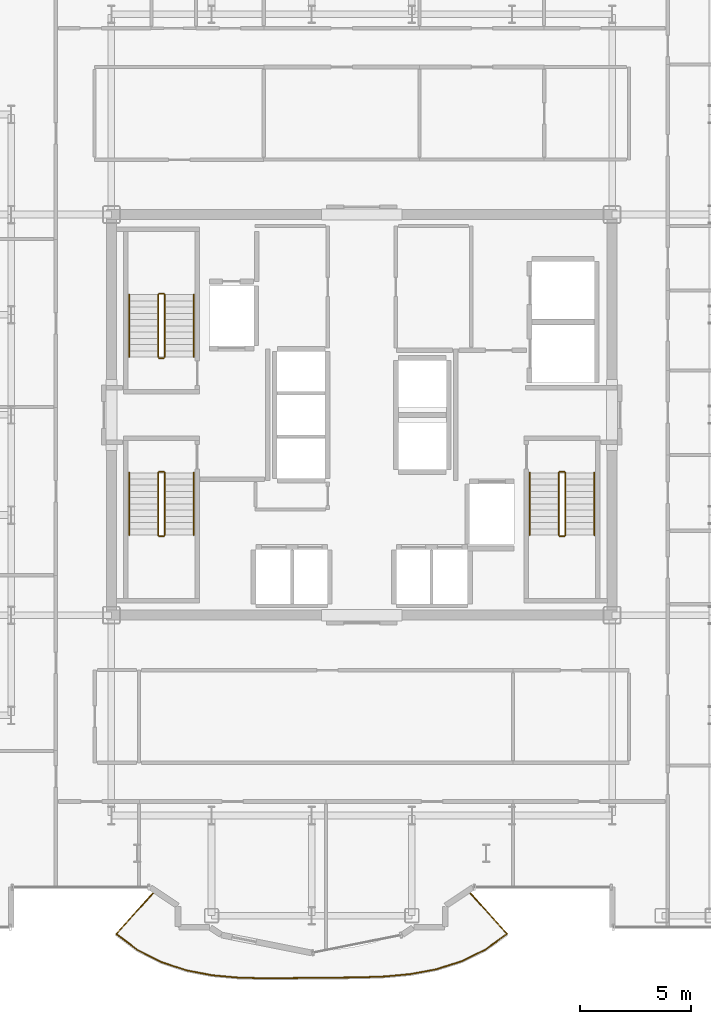
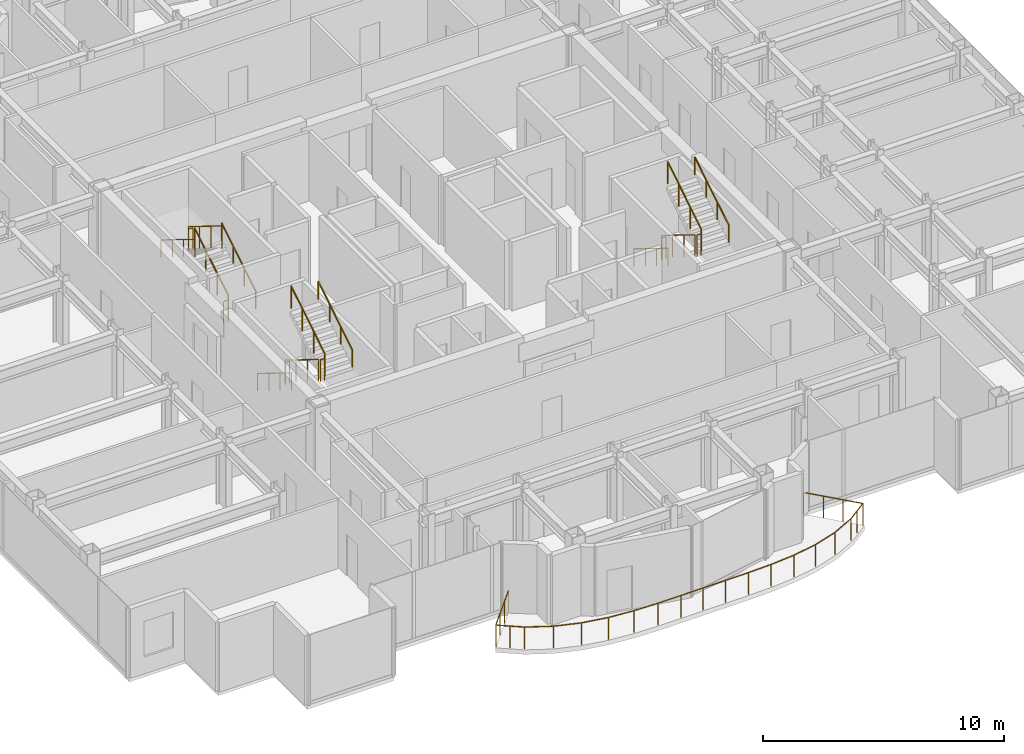
# One storey, part 20 of 21: 19 railings.
"""IFC4 building model written with IfcOpenShell, lengths in metres."""

from ifc_helpers import new_model, si_unit, direction, frame, origin, origin_2d, place, context, subcontext, project, spatial, circle, extrude, material, type_object, element, save


model = new_model("IFC4")

# Units and contexts
model_context = context("Model", 3, precision=1e-05, world=origin(), true_north=direction((0.0, 1.0)))
body_context = subcontext(model_context, "Body", "Model", "MODEL_VIEW")
ifc_project = project(units=[si_unit("LENGTHUNIT", "METRE"), si_unit("AREAUNIT", "SQUARE_METRE"), si_unit("VOLUMEUNIT", "CUBIC_METRE"), si_unit("PLANEANGLEUNIT", "RADIAN"), si_unit("MASSUNIT", "GRAM", prefix="KILO")], contexts=[model_context])

# Site, building, storey
site_placement = place(None, origin())
site = spatial("IfcSite", under=ifc_project, at=site_placement, CompositionType="ELEMENT")
building_placement = place(site_placement, origin())
building = spatial("IfcBuilding", under=site, at=building_placement, Name="Nefas-Gora Pilgrimage Tower", CompositionType="ELEMENT")
storey_placement = place(building_placement, frame((0.0, 0.0, 256.0)))
storey = spatial("IfcBuildingStorey", under=building, at=storey_placement, Name="L64", CompositionType="ELEMENT", Elevation=256.0)

# Railings
ifc_material_1 = material(Name="Laminated safety glass and stainless steel", Category="steel")
railing_type_1 = type_object("IfcRailingType", Name="RLG-BAL-1100", PredefinedType="BALUSTRADE", material=ifc_material_1)
railing_1_placement = place(storey_placement, frame((-9.302490234375, -21.402587890625, 0.0)))
element("IfcRailing", 1, at=railing_1_placement, inside=storey, type_object=railing_type_1, Name="L64 Wave Balcony Balustrade S2", PredefinedType="BALUSTRADE", context=body_context, shape_type="SweptSolid", body=[
    extrude(circle(Radius=0.02392578125, at=origin_2d()), frame((0.0, 0.0, 1.09619140625), z_axis=(-0.669142449017, -0.743134162129, 0.0), x_axis=(0.743134162129, -0.669142449017, 0.0)), (0.0, 0.0, 1.0), 2.580322265625),
    extrude(circle(Radius=0.02392578125, at=origin_2d()), frame((-1.7265625, -1.91748046875, 1.09619140625), z_axis=(0.799609380454, -0.600520473164, 0.0), x_axis=(0.600520473164, 0.799609380454, 0.0)), (0.0, 0.0, 1.0), 1.200439453125),
    extrude(circle(Radius=0.02392578125, at=origin_2d()), frame((-0.7666015625, -2.638427734375, 1.09619140625), z_axis=(0.890733279512, -0.45452637412, 0.0), x_axis=(0.45452637412, 0.890733279512, 0.0)), (0.0, 0.0, 1.0), 1.199462890625),
    extrude(circle(Radius=0.02392578125, at=origin_2d()), frame((0.3017578125, -3.18359375, 1.09619140625), z_axis=(0.950145160324, -0.311807912523, 0.0), x_axis=(0.311807912523, 0.950145160324, 0.0)), (0.0, 0.0, 1.0), 1.194091796875),
    extrude(circle(Radius=0.02392578125, at=origin_2d()), frame((1.436279296875, -3.555908203125, 1.09619140625), z_axis=(0.982457799544, -0.186485045284, 0.0), x_axis=(0.186485045284, 0.982457799544, 0.0)), (0.0, 0.0, 1.0), 1.180908203125),
    extrude(circle(Radius=0.02392578125, at=origin_2d()), frame((2.596435546875, -3.776123046875, 1.09619140625), z_axis=(0.996011638398, -0.089223405981, 0.0), x_axis=(0.089223405981, 0.996011638398, 0.0)), (0.0, 0.0, 1.0), 1.157470703125),
    extrude(circle(Radius=0.02392578125, at=origin_2d()), frame((3.749267578125, -3.87939453125, 1.09619140625), z_axis=(0.99967356135, -0.025549378436, 0.0), x_axis=(0.025549378436, 0.99967356135, 0.0)), (0.0, 0.0, 1.0), 1.127685546875),
    extrude(circle(Radius=0.02392578125, at=origin_2d()), frame((4.87646484375, -3.908203125, 1.09619140625), z_axis=(0.999980616702, 0.00622625245, 0.0), x_axis=(-0.00622625245, 0.999980616702, 0.0)), (0.0, 0.0, 1.0), 1.097900390625),
    extrude(circle(Radius=0.02392578125, at=origin_2d()), frame((5.974365234375, -3.9013671875, 1.09619140625), z_axis=(0.99992244912, 0.012453744271, 0.0), x_axis=(-0.012453744271, 0.99992244912, 0.0)), (0.0, 0.0, 1.0), 1.078125),
    extrude(circle(Radius=0.02392578125, at=origin_2d()), frame((7.052490234375, -3.887939453125, 1.09619140625), z_axis=(0.999968478826, 0.007939858611, 0.0), x_axis=(-0.007939858611, 0.999968478826, 0.0)), (0.0, 0.0, 1.0), 1.076171875),
    extrude(circle(Radius=0.02392578125, at=origin_2d()), frame((8.128662109375, -3.87939453125, 1.09619140625), z_axis=(0.999947171878, 0.010278786571, 0.0), x_axis=(-0.010278786571, 0.999947171878, 0.0)), (0.0, 0.0, 1.0), 1.092529296875),
    extrude(circle(Radius=0.02392578125, at=origin_2d()), frame((9.22119140625, -3.8681640625, 1.09619140625), z_axis=(0.99936174395, 0.03572260811, 0.0), x_axis=(-0.03572260811, 0.99936174395, 0.0)), (0.0, 0.0, 1.0), 1.120849609375),
    extrude(circle(Radius=0.02392578125, at=origin_2d()), frame((10.34130859375, -3.828125, 1.09619140625), z_axis=(0.995737068409, 0.092237143262, 0.0), x_axis=(-0.092237143262, 0.995737068409, 0.0)), (0.0, 0.0, 1.0), 1.1513671875),
    extrude(circle(Radius=0.02392578125, at=origin_2d()), frame((11.48779296875, -3.721923828125, 1.09619140625), z_axis=(0.983222780011, 0.182408785063, 0.0), x_axis=(-0.182408785063, 0.983222780011, 0.0)), (0.0, 0.0, 1.0), 1.176513671875),
    extrude(circle(Radius=0.02392578125, at=origin_2d()), frame((12.64453125, -3.50732421875, 1.09619140625), z_axis=(0.953347137132, 0.301876193369, 0.0), x_axis=(-0.301876193369, 0.953347137132, 0.0)), (0.0, 0.0, 1.0), 1.192138671875),
    extrude(circle(Radius=0.02392578125, at=origin_2d()), frame((13.781005859375, -3.1474609375, 1.09619140625), z_axis=(0.8975416003, 0.440929785489, 0.0), x_axis=(-0.440929785489, 0.8975416003, 0.0)), (0.0, 0.0, 1.0), 1.19873046875),
    extrude(circle(Radius=0.02392578125, at=origin_2d()), frame((14.85693359375, -2.618896484375, 1.09619140625), z_axis=(0.81049147795, 0.58575042823, 0.0), x_axis=(-0.58575042823, 0.81049147795, 0.0)), (0.0, 0.0, 1.0), 1.200439453125),
    extrude(circle(Radius=0.02392578125, at=origin_2d()), frame((15.829833984375, -1.915771484375, 1.09619140625), z_axis=(-0.669105995394, 0.743166984552, 0.0), x_axis=(-0.743166984552, -0.669105995394, 0.0)), (0.0, 0.0, 1.0), 2.577880859375),
    extrude(circle(Radius=0.02099609375, at=origin_2d()), origin(), (0.0, 0.0, 1.0), 1.072021484375),
    extrude(circle(Radius=0.02099609375, at=origin_2d()), frame((-0.575439453125, -0.63916015625, 0.0)), (0.0, 0.0, 1.0), 1.072021484375),
    extrude(circle(Radius=0.02099609375, at=origin_2d()), frame((-1.151123046875, -1.2783203125, 0.0)), (0.0, 0.0, 1.0), 1.072021484375),
    extrude(circle(Radius=0.02099609375, at=origin_2d()), frame((-1.7265625, -1.91748046875, 0.0)), (0.0, 0.0, 1.0), 1.072021484375),
    extrude(circle(Radius=0.02099609375, at=origin_2d()), frame((-1.24658203125, -2.27783203125, 0.0)), (0.0, 0.0, 1.0), 1.072021484375),
    extrude(circle(Radius=0.02099609375, at=origin_2d()), frame((-0.7666015625, -2.638427734375, 0.0)), (0.0, 0.0, 1.0), 1.072021484375),
    extrude(circle(Radius=0.02099609375, at=origin_2d()), frame((0.3017578125, -3.18359375, 0.0)), (0.0, 0.0, 1.0), 1.072021484375),
    extrude(circle(Radius=0.02099609375, at=origin_2d()), frame((1.436279296875, -3.555908203125, 0.0)), (0.0, 0.0, 1.0), 1.072021484375),
    extrude(circle(Radius=0.02099609375, at=origin_2d()), frame((2.596435546875, -3.776123046875, 0.0)), (0.0, 0.0, 1.0), 1.072021484375),
    extrude(circle(Radius=0.02099609375, at=origin_2d()), frame((3.749267578125, -3.87939453125, 0.0)), (0.0, 0.0, 1.0), 1.072021484375),
    extrude(circle(Radius=0.02099609375, at=origin_2d()), frame((4.87646484375, -3.908203125, 0.0)), (0.0, 0.0, 1.0), 1.072021484375),
    extrude(circle(Radius=0.02099609375, at=origin_2d()), frame((5.974365234375, -3.9013671875, 0.0)), (0.0, 0.0, 1.0), 1.072021484375),
    extrude(circle(Radius=0.02099609375, at=origin_2d()), frame((7.052490234375, -3.887939453125, 0.0)), (0.0, 0.0, 1.0), 1.072021484375),
    extrude(circle(Radius=0.02099609375, at=origin_2d()), frame((8.128662109375, -3.87939453125, 0.0)), (0.0, 0.0, 1.0), 1.072021484375),
    extrude(circle(Radius=0.02099609375, at=origin_2d()), frame((9.22119140625, -3.8681640625, 0.0)), (0.0, 0.0, 1.0), 1.072021484375),
    extrude(circle(Radius=0.02099609375, at=origin_2d()), frame((10.34130859375, -3.828125, 0.0)), (0.0, 0.0, 1.0), 1.072021484375),
    extrude(circle(Radius=0.02099609375, at=origin_2d()), frame((11.48779296875, -3.721923828125, 0.0)), (0.0, 0.0, 1.0), 1.072021484375),
    extrude(circle(Radius=0.02099609375, at=origin_2d()), frame((12.64453125, -3.50732421875, 0.0)), (0.0, 0.0, 1.0), 1.072021484375),
    extrude(circle(Radius=0.02099609375, at=origin_2d()), frame((13.781005859375, -3.1474609375, 0.0)), (0.0, 0.0, 1.0), 1.072021484375),
    extrude(circle(Radius=0.02099609375, at=origin_2d()), frame((14.85693359375, -2.618896484375, 0.0)), (0.0, 0.0, 1.0), 1.072021484375),
    extrude(circle(Radius=0.02099609375, at=origin_2d()), frame((15.34326171875, -2.267333984375, 0.0)), (0.0, 0.0, 1.0), 1.072021484375),
    extrude(circle(Radius=0.02099609375, at=origin_2d()), frame((15.829833984375, -1.915771484375, 0.0)), (0.0, 0.0, 1.0), 1.072021484375),
    extrude(circle(Radius=0.02099609375, at=origin_2d()), frame((15.2548828125, -1.277099609375, 0.0)), (0.0, 0.0, 1.0), 1.072021484375),
    extrude(circle(Radius=0.02099609375, at=origin_2d()), frame((14.679931640625, -0.638671875, 0.0)), (0.0, 0.0, 1.0), 1.072021484375),
    extrude(circle(Radius=0.02099609375, at=origin_2d()), frame((14.10498046875, 0.0, 0.0)), (0.0, 0.0, 1.0), 1.072021484375),
])
ifc_material_2 = material(Name="Painted galvanised steel", Category="steel")
railing_type_2 = type_object("IfcRailingType", Name="RLG-STR-GUARD-1100", PredefinedType="GUARDRAIL", material=ifc_material_2)
railing_2_placement = place(storey_placement, frame((-8.85009765625, 2.60009765625, 0.172607421875)))
element("IfcRailing", 2, at=railing_2_placement, inside=storey, type_object=railing_type_2, Name="L64 ST-01 stair guard 1", PredefinedType="GUARDRAIL", context=body_context, shape_type="SweptSolid", body=[
    extrude(circle(Radius=0.02392578125, at=origin_2d()), frame((0.0, 0.0, 1.09619140625), z_axis=(0.0, 0.851069175582, 0.525053576669), x_axis=(-1.0, 0.0, 0.0)), (0.0, 0.0, 1.0), 3.289794921875),
    extrude(circle(Radius=0.02099609375, at=origin_2d()), origin(), (0.0, 0.0, 1.0), 1.072021484375),
    extrude(circle(Radius=0.02099609375, at=origin_2d()), frame((0.0, 0.933349609375, 0.57568359375)), (0.0, 0.0, 1.0), 1.072021484375),
    extrude(circle(Radius=0.02099609375, at=origin_2d()), frame((0.0, 1.866455078125, 1.151611328125)), (0.0, 0.0, 1.0), 1.072021484375),
    extrude(circle(Radius=0.02099609375, at=origin_2d()), frame((0.0, 2.7998046875, 1.727294921875)), (0.0, 0.0, 1.0), 1.072021484375),
])
railing_3_placement = place(storey_placement, frame((-8.89990234375, 5.449951171875, 1.89990234375)))
element("IfcRailing", 3, at=railing_3_placement, inside=storey, type_object=railing_type_2, Name="L64 ST-01 stair guard 2", PredefinedType="GUARDRAIL", context=body_context, shape_type="SweptSolid", body=[
    extrude(circle(Radius=0.02392578125, at=origin_2d()), frame((0.0, 0.0, 1.09619140625), z_axis=(-1.0, 0.0, 0.0), x_axis=(0.0, -1.0, 0.0)), (0.0, 0.0, 1.0), 0.2001953125),
    extrude(circle(Radius=0.02099609375, at=origin_2d()), origin(), (0.0, 0.0, 1.0), 1.072021484375),
    extrude(circle(Radius=0.02099609375, at=origin_2d()), frame((-0.2001953125, 0.0, 0.0)), (0.0, 0.0, 1.0), 1.072021484375),
])
railing_4_placement = place(storey_placement, frame((-9.14990234375, 5.39990234375, 2.07275390625)))
element("IfcRailing", 4, at=railing_4_placement, inside=storey, type_object=railing_type_2, Name="L64 ST-01 stair guard 3", PredefinedType="GUARDRAIL", context=body_context, shape_type="SweptSolid", body=[
    extrude(circle(Radius=0.02392578125, at=origin_2d()), frame((0.0, 0.0, 1.09619140625), z_axis=(0.0, -0.851069175582, 0.525053576669), x_axis=(1.0, 0.0, 0.0)), (0.0, 0.0, 1.0), 3.289794921875),
    extrude(circle(Radius=0.02099609375, at=origin_2d()), origin(), (0.0, 0.0, 1.0), 1.072021484375),
    extrude(circle(Radius=0.02099609375, at=origin_2d()), frame((0.0, -0.933349609375, 0.57568359375)), (0.0, 0.0, 1.0), 1.072021484375),
    extrude(circle(Radius=0.02099609375, at=origin_2d()), frame((0.0, -1.866455078125, 1.151611328125)), (0.0, 0.0, 1.0), 1.072021484375),
    extrude(circle(Radius=0.02099609375, at=origin_2d()), frame((0.0, -2.7998046875, 1.727294921875)), (0.0, 0.0, 1.0), 1.072021484375),
])
railing_5_placement = place(storey_placement, frame((-8.89990234375, 2.550048828125, 0.0)))
element("IfcRailing", 5, at=railing_5_placement, inside=storey, type_object=railing_type_2, Name="L64 ST-01 stair guard 4", PredefinedType="GUARDRAIL", context=body_context, shape_type="SweptSolid", body=[
    extrude(circle(Radius=0.02392578125, at=origin_2d()), frame((0.0, 0.0, 1.09619140625), z_axis=(-1.0, 0.0, 0.0), x_axis=(0.0, -1.0, 0.0)), (0.0, 0.0, 1.0), 0.2001953125),
    extrude(circle(Radius=0.02099609375, at=origin_2d()), origin(), (0.0, 0.0, 1.0), 1.072021484375),
    extrude(circle(Radius=0.02099609375, at=origin_2d()), frame((-0.2001953125, 0.0, 0.0)), (0.0, 0.0, 1.0), 1.072021484375),
])
railing_6_placement = place(storey_placement, frame((8.85009765625, -2.60009765625, 0.172607421875)))
element("IfcRailing", 6, at=railing_6_placement, inside=storey, type_object=railing_type_2, Name="L64 ST-02 stair guard 1", PredefinedType="GUARDRAIL", context=body_context, shape_type="SweptSolid", body=[
    extrude(circle(Radius=0.02392578125, at=origin_2d()), frame((0.0, 0.0, 1.09619140625), z_axis=(0.0, -0.851069175582, 0.525053576669), x_axis=(1.0, 0.0, 0.0)), (0.0, 0.0, 1.0), 3.289794921875),
    extrude(circle(Radius=0.02099609375, at=origin_2d()), origin(), (0.0, 0.0, 1.0), 1.072021484375),
    extrude(circle(Radius=0.02099609375, at=origin_2d()), frame((0.0, -0.933349609375, 0.57568359375)), (0.0, 0.0, 1.0), 1.072021484375),
    extrude(circle(Radius=0.02099609375, at=origin_2d()), frame((0.0, -1.866455078125, 1.151611328125)), (0.0, 0.0, 1.0), 1.072021484375),
    extrude(circle(Radius=0.02099609375, at=origin_2d()), frame((0.0, -2.7998046875, 1.727294921875)), (0.0, 0.0, 1.0), 1.072021484375),
])
railing_7_placement = place(storey_placement, frame((8.89990234375, -5.449951171875, 1.89990234375)))
element("IfcRailing", 7, at=railing_7_placement, inside=storey, type_object=railing_type_2, Name="L64 ST-02 stair guard 2", PredefinedType="GUARDRAIL", context=body_context, shape_type="SweptSolid", body=[
    extrude(circle(Radius=0.02392578125, at=origin_2d()), frame((0.0, 0.0, 1.09619140625), z_axis=(1.0, 0.0, 0.0), x_axis=(0.0, 1.0, 0.0)), (0.0, 0.0, 1.0), 0.2001953125),
    extrude(circle(Radius=0.02099609375, at=origin_2d()), origin(), (0.0, 0.0, 1.0), 1.072021484375),
    extrude(circle(Radius=0.02099609375, at=origin_2d()), frame((0.2001953125, 0.0, 0.0)), (0.0, 0.0, 1.0), 1.072021484375),
])
railing_8_placement = place(storey_placement, frame((9.14990234375, -5.39990234375, 2.07275390625)))
element("IfcRailing", 8, at=railing_8_placement, inside=storey, type_object=railing_type_2, Name="L64 ST-02 stair guard 3", PredefinedType="GUARDRAIL", context=body_context, shape_type="SweptSolid", body=[
    extrude(circle(Radius=0.02392578125, at=origin_2d()), frame((0.0, 0.0, 1.09619140625), z_axis=(0.0, 0.851069175582, 0.525053576669), x_axis=(-1.0, 0.0, 0.0)), (0.0, 0.0, 1.0), 3.289794921875),
    extrude(circle(Radius=0.02099609375, at=origin_2d()), origin(), (0.0, 0.0, 1.0), 1.072021484375),
    extrude(circle(Radius=0.02099609375, at=origin_2d()), frame((0.0, 0.933349609375, 0.57568359375)), (0.0, 0.0, 1.0), 1.072021484375),
    extrude(circle(Radius=0.02099609375, at=origin_2d()), frame((0.0, 1.866455078125, 1.151611328125)), (0.0, 0.0, 1.0), 1.072021484375),
    extrude(circle(Radius=0.02099609375, at=origin_2d()), frame((0.0, 2.7998046875, 1.727294921875)), (0.0, 0.0, 1.0), 1.072021484375),
])
railing_9_placement = place(storey_placement, frame((8.89990234375, -2.550048828125, 0.0)))
element("IfcRailing", 9, at=railing_9_placement, inside=storey, type_object=railing_type_2, Name="L64 ST-02 stair guard 4", PredefinedType="GUARDRAIL", context=body_context, shape_type="SweptSolid", body=[
    extrude(circle(Radius=0.02392578125, at=origin_2d()), frame((0.0, 0.0, 1.09619140625), z_axis=(1.0, 0.0, 0.0), x_axis=(0.0, 1.0, 0.0)), (0.0, 0.0, 1.0), 0.2001953125),
    extrude(circle(Radius=0.02099609375, at=origin_2d()), origin(), (0.0, 0.0, 1.0), 1.072021484375),
    extrude(circle(Radius=0.02099609375, at=origin_2d()), frame((0.2001953125, 0.0, 0.0)), (0.0, 0.0, 1.0), 1.072021484375),
])
railing_10_placement = place(storey_placement, frame((-9.14990234375, -2.60009765625, 0.172607421875)))
element("IfcRailing", 10, at=railing_10_placement, inside=storey, type_object=railing_type_2, Name="L64 ST-03 stair guard 1", PredefinedType="GUARDRAIL", context=body_context, shape_type="SweptSolid", body=[
    extrude(circle(Radius=0.02392578125, at=origin_2d()), frame((0.0, 0.0, 1.09619140625), z_axis=(0.0, -0.851069175582, 0.525053576669), x_axis=(1.0, 0.0, 0.0)), (0.0, 0.0, 1.0), 3.289794921875),
    extrude(circle(Radius=0.02099609375, at=origin_2d()), origin(), (0.0, 0.0, 1.0), 1.072021484375),
    extrude(circle(Radius=0.02099609375, at=origin_2d()), frame((0.0, -0.933349609375, 0.57568359375)), (0.0, 0.0, 1.0), 1.072021484375),
    extrude(circle(Radius=0.02099609375, at=origin_2d()), frame((0.0, -1.866455078125, 1.151611328125)), (0.0, 0.0, 1.0), 1.072021484375),
    extrude(circle(Radius=0.02099609375, at=origin_2d()), frame((0.0, -2.7998046875, 1.727294921875)), (0.0, 0.0, 1.0), 1.072021484375),
])
railing_11_placement = place(storey_placement, frame((-9.10009765625, -5.449951171875, 1.89990234375)))
element("IfcRailing", 11, at=railing_11_placement, inside=storey, type_object=railing_type_2, Name="L64 ST-03 stair guard 2", PredefinedType="GUARDRAIL", context=body_context, shape_type="SweptSolid", body=[
    extrude(circle(Radius=0.02392578125, at=origin_2d()), frame((0.0, 0.0, 1.09619140625), z_axis=(1.0, 0.0, 0.0), x_axis=(0.0, 1.0, 0.0)), (0.0, 0.0, 1.0), 0.2001953125),
    extrude(circle(Radius=0.02099609375, at=origin_2d()), origin(), (0.0, 0.0, 1.0), 1.072021484375),
    extrude(circle(Radius=0.02099609375, at=origin_2d()), frame((0.2001953125, 0.0, 0.0)), (0.0, 0.0, 1.0), 1.072021484375),
])
railing_12_placement = place(storey_placement, frame((-8.85009765625, -5.39990234375, 2.07275390625)))
element("IfcRailing", 12, at=railing_12_placement, inside=storey, type_object=railing_type_2, Name="L64 ST-03 stair guard 3", PredefinedType="GUARDRAIL", context=body_context, shape_type="SweptSolid", body=[
    extrude(circle(Radius=0.02392578125, at=origin_2d()), frame((0.0, 0.0, 1.09619140625), z_axis=(0.0, 0.851069175582, 0.525053576669), x_axis=(-1.0, 0.0, 0.0)), (0.0, 0.0, 1.0), 3.289794921875),
    extrude(circle(Radius=0.02099609375, at=origin_2d()), origin(), (0.0, 0.0, 1.0), 1.072021484375),
    extrude(circle(Radius=0.02099609375, at=origin_2d()), frame((0.0, 0.933349609375, 0.57568359375)), (0.0, 0.0, 1.0), 1.072021484375),
    extrude(circle(Radius=0.02099609375, at=origin_2d()), frame((0.0, 1.866455078125, 1.151611328125)), (0.0, 0.0, 1.0), 1.072021484375),
    extrude(circle(Radius=0.02099609375, at=origin_2d()), frame((0.0, 2.7998046875, 1.727294921875)), (0.0, 0.0, 1.0), 1.072021484375),
])
railing_13_placement = place(storey_placement, frame((-9.10009765625, -2.550048828125, 0.0)))
element("IfcRailing", 13, at=railing_13_placement, inside=storey, type_object=railing_type_2, Name="L64 ST-03 stair guard 4", PredefinedType="GUARDRAIL", context=body_context, shape_type="SweptSolid", body=[
    extrude(circle(Radius=0.02392578125, at=origin_2d()), frame((0.0, 0.0, 1.09619140625), z_axis=(1.0, 0.0, 0.0), x_axis=(0.0, 1.0, 0.0)), (0.0, 0.0, 1.0), 0.2001953125),
    extrude(circle(Radius=0.02099609375, at=origin_2d()), origin(), (0.0, 0.0, 1.0), 1.072021484375),
    extrude(circle(Radius=0.02099609375, at=origin_2d()), frame((0.2001953125, 0.0, 0.0)), (0.0, 0.0, 1.0), 1.072021484375),
])
ifc_material_3 = material(Name="Brushed stainless steel", Category="steel")
railing_type_3 = type_object("IfcRailingType", Name="RLG-STR-HAND-900", PredefinedType="HANDRAIL", material=ifc_material_3)
railing_14_placement = place(storey_placement, frame((-7.550048828125, 2.60009765625, 0.172607421875)))
element("IfcRailing", 14, at=railing_14_placement, inside=storey, type_object=railing_type_3, Name="L64 ST-01 stair handrail 1", PredefinedType="HANDRAIL", context=body_context, shape_type="SweptSolid", body=[
    extrude(circle(Radius=0.02392578125, at=origin_2d()), frame((0.0, 0.0, 0.8759765625), z_axis=(0.0, 0.851069175582, 0.525053576669), x_axis=(-1.0, 0.0, 0.0)), (0.0, 0.0, 1.0), 3.289794921875),
    extrude(circle(Radius=0.02099609375, at=origin_2d()), origin(), (0.0, 0.0, 1.0), 0.851806640625),
    extrude(circle(Radius=0.02099609375, at=origin_2d()), frame((0.0, 0.933349609375, 0.57568359375)), (0.0, 0.0, 1.0), 0.851806640625),
    extrude(circle(Radius=0.02099609375, at=origin_2d()), frame((0.0, 1.866455078125, 1.151611328125)), (0.0, 0.0, 1.0), 0.851806640625),
    extrude(circle(Radius=0.02099609375, at=origin_2d()), frame((0.0, 2.7998046875, 1.727294921875)), (0.0, 0.0, 1.0), 0.851806640625),
])
for number, where, name in (
    (15, (-10.449951171875, 5.39990234375, 2.07275390625), "L64 ST-01 stair handrail 2"),
    (16, (7.550048828125, -2.60009765625, 0.172607421875), "L64 ST-02 stair handrail 1"),
):
    element("IfcRailing", number, at=place(storey_placement, frame(where)), inside=storey, type_object=railing_type_3, Name=name, PredefinedType="HANDRAIL", context=body_context, shape_type="SweptSolid", body=[
        extrude(circle(Radius=0.02392578125, at=origin_2d()), frame((0.0, 0.0, 0.8759765625), z_axis=(0.0, -0.851069175582, 0.525053576669), x_axis=(1.0, 0.0, 0.0)), (0.0, 0.0, 1.0), 3.289794921875),
        extrude(circle(Radius=0.02099609375, at=origin_2d()), origin(), (0.0, 0.0, 1.0), 0.851806640625),
        extrude(circle(Radius=0.02099609375, at=origin_2d()), frame((0.0, -0.933349609375, 0.57568359375)), (0.0, 0.0, 1.0), 0.851806640625),
        extrude(circle(Radius=0.02099609375, at=origin_2d()), frame((0.0, -1.866455078125, 1.151611328125)), (0.0, 0.0, 1.0), 0.851806640625),
        extrude(circle(Radius=0.02099609375, at=origin_2d()), frame((0.0, -2.7998046875, 1.727294921875)), (0.0, 0.0, 1.0), 0.851806640625),
    ])
railing_15_placement = place(storey_placement, frame((10.449951171875, -5.39990234375, 2.07275390625)))
element("IfcRailing", 17, at=railing_15_placement, inside=storey, type_object=railing_type_3, Name="L64 ST-02 stair handrail 2", PredefinedType="HANDRAIL", context=body_context, shape_type="SweptSolid", body=[
    extrude(circle(Radius=0.02392578125, at=origin_2d()), frame((0.0, 0.0, 0.8759765625), z_axis=(0.0, 0.851069175582, 0.525053576669), x_axis=(-1.0, 0.0, 0.0)), (0.0, 0.0, 1.0), 3.289794921875),
    extrude(circle(Radius=0.02099609375, at=origin_2d()), origin(), (0.0, 0.0, 1.0), 0.851806640625),
    extrude(circle(Radius=0.02099609375, at=origin_2d()), frame((0.0, 0.933349609375, 0.57568359375)), (0.0, 0.0, 1.0), 0.851806640625),
    extrude(circle(Radius=0.02099609375, at=origin_2d()), frame((0.0, 1.866455078125, 1.151611328125)), (0.0, 0.0, 1.0), 0.851806640625),
    extrude(circle(Radius=0.02099609375, at=origin_2d()), frame((0.0, 2.7998046875, 1.727294921875)), (0.0, 0.0, 1.0), 0.851806640625),
])
railing_16_placement = place(storey_placement, frame((-10.449951171875, -2.60009765625, 0.172607421875)))
element("IfcRailing", 18, at=railing_16_placement, inside=storey, type_object=railing_type_3, Name="L64 ST-03 stair handrail 1", PredefinedType="HANDRAIL", context=body_context, shape_type="SweptSolid", body=[
    extrude(circle(Radius=0.02392578125, at=origin_2d()), frame((0.0, 0.0, 0.8759765625), z_axis=(0.0, -0.851069175582, 0.525053576669), x_axis=(1.0, 0.0, 0.0)), (0.0, 0.0, 1.0), 3.289794921875),
    extrude(circle(Radius=0.02099609375, at=origin_2d()), origin(), (0.0, 0.0, 1.0), 0.851806640625),
    extrude(circle(Radius=0.02099609375, at=origin_2d()), frame((0.0, -0.933349609375, 0.57568359375)), (0.0, 0.0, 1.0), 0.851806640625),
    extrude(circle(Radius=0.02099609375, at=origin_2d()), frame((0.0, -1.866455078125, 1.151611328125)), (0.0, 0.0, 1.0), 0.851806640625),
    extrude(circle(Radius=0.02099609375, at=origin_2d()), frame((0.0, -2.7998046875, 1.727294921875)), (0.0, 0.0, 1.0), 0.851806640625),
])
railing_17_placement = place(storey_placement, frame((-7.550048828125, -5.39990234375, 2.07275390625)))
element("IfcRailing", 19, at=railing_17_placement, inside=storey, type_object=railing_type_3, Name="L64 ST-03 stair handrail 2", PredefinedType="HANDRAIL", context=body_context, shape_type="SweptSolid", body=[
    extrude(circle(Radius=0.02392578125, at=origin_2d()), frame((0.0, 0.0, 0.8759765625), z_axis=(0.0, 0.851069175582, 0.525053576669), x_axis=(-1.0, 0.0, 0.0)), (0.0, 0.0, 1.0), 3.289794921875),
    extrude(circle(Radius=0.02099609375, at=origin_2d()), origin(), (0.0, 0.0, 1.0), 0.851806640625),
    extrude(circle(Radius=0.02099609375, at=origin_2d()), frame((0.0, 0.933349609375, 0.57568359375)), (0.0, 0.0, 1.0), 0.851806640625),
    extrude(circle(Radius=0.02099609375, at=origin_2d()), frame((0.0, 1.866455078125, 1.151611328125)), (0.0, 0.0, 1.0), 0.851806640625),
    extrude(circle(Radius=0.02099609375, at=origin_2d()), frame((0.0, 2.7998046875, 1.727294921875)), (0.0, 0.0, 1.0), 0.851806640625),
])

save(model, "model.ifc")
